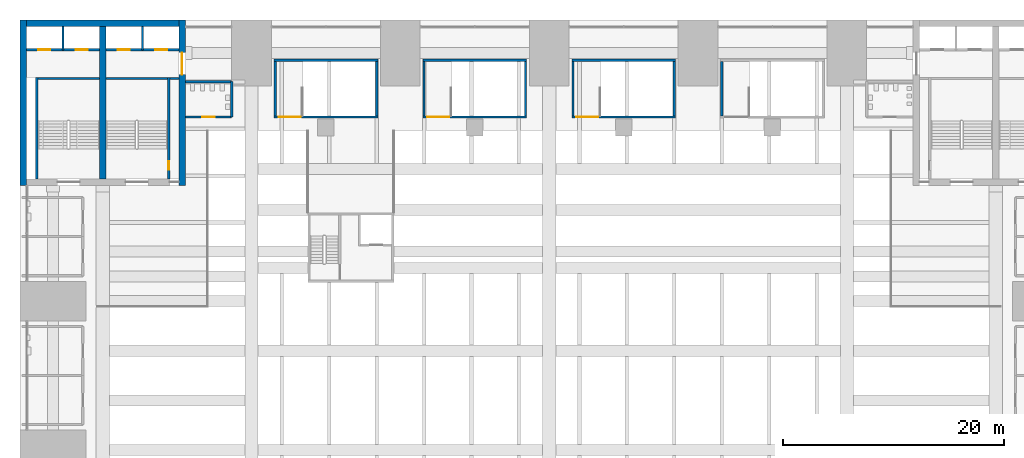
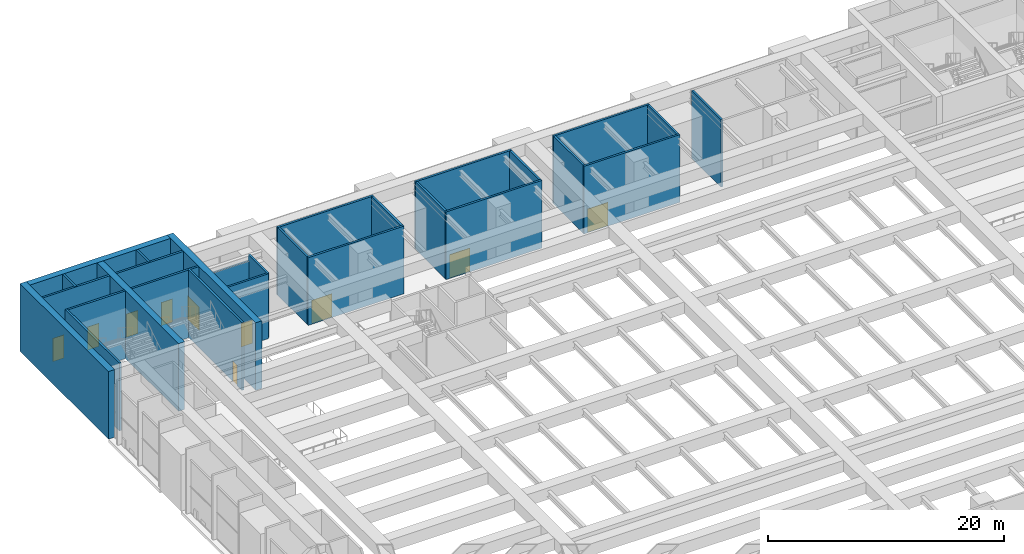
# One storey, part 30 of 45: 29 walls, 10 doors, 10 openings.
"""IFC4 building model written with IfcOpenShell, lengths in metres."""

from ifc_helpers import new_model, si_unit, direction, frame, frame_2d, origin, place, context, subcontext, project, spatial, rectangle, extrude, material, layer, layer_set, type_object, element, fill, save


model = new_model("IFC4")

# Units and contexts
model_context = context("Model", 3, precision=1e-05, world=origin(), true_north=direction((0.0, 1.0)))
body_context = subcontext(model_context, "Body", "Model", "MODEL_VIEW")
ifc_project = project(units=[si_unit("LENGTHUNIT", "METRE"), si_unit("AREAUNIT", "SQUARE_METRE"), si_unit("VOLUMEUNIT", "CUBIC_METRE"), si_unit("PLANEANGLEUNIT", "RADIAN"), si_unit("MASSUNIT", "GRAM", prefix="KILO")], contexts=[model_context])

# Site, building, storey
site_placement = place(None, origin())
site = spatial("IfcSite", under=ifc_project, at=site_placement, CompositionType="ELEMENT")
building_placement = place(site_placement, origin())
building = spatial("IfcBuilding", under=site, at=building_placement, Name="Corbelhall Arena Tower", CompositionType="ELEMENT")
storey_placement = place(building_placement, frame((0.0, 0.0, 37.0)))
storey = spatial("IfcBuildingStorey", under=building, at=storey_placement, Name="L05", CompositionType="ELEMENT", Elevation=37.0)

# Wall, opening, door
ifc_material_1 = material(Name="Gypsum board on steel studs", Category="steel")
ifc_layer_1 = layer(ifc_material_1, 0.199951171875)
ifc_layer_set_1 = layer_set([ifc_layer_1], Name="AR-ROOM-WALL")
wall_type_1 = type_object("IfcWallType", Name="AR-ROOM-WALL", PredefinedType="PARTITIONING", material=ifc_layer_set_1)
wall_1_placement = place(storey_placement, frame((-33.0, 30.199951171875, 0.0), z_axis=(0.0, 0.0, 1.0), x_axis=(1.0, 0.0, 0.0)))
wall_1 = element("IfcWall", 1, at=wall_1_placement, inside=storey, type_object=wall_type_1, Name="Women's WC 2 wall", PredefinedType="PARTITIONING", context=body_context, shape_type="SweptSolid", body=[
    extrude(rectangle(XDim=4.199951171875, YDim=0.199951171875, at=frame_2d((2.10009765625, 0.0))), origin(), (0.0, 0.0, 1.0), 6.699951171875),
])
opening_1_placement = place(wall_1_placement, frame((1.550048828125, 0.0, 0.0)))
opening_1 = element("IfcOpeningElement", 2, at=opening_1_placement, cuts=wall_1, Name="Opening DA0456", PredefinedType="OPENING", context=body_context, shape_type="SweptSolid", body=[
    extrude(rectangle(XDim=1.10009765625, YDim=2.39990234375, at=frame_2d((0.550048828125, 1.199951171875))), frame((0.0, 0.10009765625, 0.0), z_axis=(0.0, -1.0, 0.0), x_axis=(1.0, 0.0, 0.0)), (0.0, 0.0, 1.0), 0.199951171875),
])
ifc_material_2 = material(Name="Timber", Category="wood")
door_type_1 = type_object("IfcDoorType", Name="AR-ROOM-DOOR", OperationType="DOUBLE_DOOR_SINGLE_SWING", PredefinedType="DOOR", material=ifc_material_2)
door_1_placement = place(opening_1_placement, origin())
door_1 = element("IfcDoor", 3, at=door_1_placement, inside=storey, type_object=door_type_1, Name="Women's WC 2 door", OperationType="DOUBLE_DOOR_SINGLE_SWING", OverallHeight=2.39990234375, OverallWidth=1.10009765625, PredefinedType="DOOR", context=body_context, shape_type="SweptSolid", body=[
    extrude(rectangle(XDim=1.10009765625, YDim=2.39990234375, at=frame_2d((0.550048828125, 1.199951171875))), frame((0.0, 0.02490234375, 0.0), z_axis=(0.0, -1.0, 0.0), x_axis=(1.0, 0.0, 0.0)), (0.0, 0.0, 1.0), 0.050048828125),
])
fill(opening_1, door_1)

# Walls
wall_2_placement = place(storey_placement, frame((-28.800048828125, 30.199951171875, 0.0), z_axis=(0.0, 0.0, 1.0), x_axis=(0.0, 1.0, 0.0)))
element("IfcWall", 4, at=wall_2_placement, inside=storey, type_object=wall_type_1, Name="Women's WC 2 side wall", PredefinedType="PARTITIONING", context=body_context, shape_type="SweptSolid", body=[
    extrude(rectangle(XDim=3.199951171875, YDim=0.199951171875, at=frame_2d((1.60009765625, 0.0))), origin(), (0.0, 0.0, 1.0), 6.699951171875),
])
wall_3_placement = place(storey_placement, frame((-34.409912109375, 33.699951171875, 0.0), z_axis=(0.0, 0.0, 1.0), x_axis=(1.0, 0.0, 0.0)))
element("IfcWall", 5, at=wall_3_placement, inside=storey, type_object=wall_type_1, Name="Electrical plant room 02 wall", PredefinedType="PARTITIONING", context=body_context, shape_type="SweptSolid", body=[
    extrude(rectangle(XDim=0.809814453125, YDim=0.199951171875, at=frame_2d((0.40478515625, 0.0))), origin(), (0.0, 0.0, 1.0), 7.0),
])
ifc_layer_2 = layer(ifc_material_1, 0.199951171875)
ifc_layer_set_2 = layer_set([ifc_layer_2], Name="AR-ROOM-WALL under beam 611 mm")
wall_type_2 = type_object("IfcWallType", Name="AR-ROOM-WALL under beam 611 mm", PredefinedType="PARTITIONING", material=ifc_layer_set_2)
wall_4_placement = place(storey_placement, frame((-33.0, 33.39990234375, 0.0), z_axis=(0.0, 0.0, 1.0), x_axis=(1.0, 0.0, 0.0)))
element("IfcWall", 6, at=wall_4_placement, inside=storey, type_object=wall_type_2, Name="Women's WC 2 far wall", PredefinedType="PARTITIONING", context=body_context, shape_type="SweptSolid", body=[
    extrude(rectangle(XDim=4.199951171875, YDim=0.199951171875, at=frame_2d((2.10009765625, 0.0))), origin(), (0.0, 0.0, 1.0), 6.089111328125),
])

# Wall, openings, doors
ifc_material_3 = material(Name="Reinforced concrete C40/50", Category="concrete")
ifc_layer_3 = layer(ifc_material_3, 0.199951171875)
ifc_layer_set_3 = layer_set([ifc_layer_3], Name="AR-SHAFT-WALL")
wall_type_3 = type_object("IfcWallType", Name="AR-SHAFT-WALL", PredefinedType="SHEAR", material=ifc_layer_set_3)
wall_5_placement = place(storey_placement, frame((-47.39990234375, 36.300048828125, 0.0), z_axis=(0.0, 0.0, 1.0), x_axis=(1.0, 0.0, 0.0)))
wall_5 = element("IfcWall", 7, at=wall_5_placement, inside=storey, type_object=wall_type_3, Name="Lift lobby wall NW", PredefinedType="SHEAR", context=body_context, shape_type="SweptSolid", body=[
    extrude(rectangle(XDim=6.599853515625, YDim=0.199951171875, at=frame_2d((3.2998046875, 0.0))), origin(), (0.0, 0.0, 1.0), 7.0),
])
opening_2_placement = place(wall_5_placement, frame((1.050048828125, 0.0, 0.0)))
opening_2 = element("IfcOpeningElement", 8, at=opening_2_placement, cuts=wall_5, Name="Opening LD0186", PredefinedType="OPENING", context=body_context, shape_type="SweptSolid", body=[
    extrude(rectangle(XDim=1.10009765625, YDim=2.39990234375, at=frame_2d((0.550048828125, 1.199951171875))), frame((0.0, 0.10009765625, 0.0), z_axis=(0.0, -1.0, 0.0), x_axis=(1.0, 0.0, 0.0)), (0.0, 0.0, 1.0), 0.199951171875),
])
opening_3_placement = place(wall_5_placement, frame((4.449951171875, 0.0, 0.0)))
opening_3 = element("IfcOpeningElement", 9, at=opening_3_placement, cuts=wall_5, Name="Opening LD0187", PredefinedType="OPENING", context=body_context, shape_type="SweptSolid", body=[
    extrude(rectangle(XDim=1.10009765625, YDim=2.39990234375, at=frame_2d((0.550048828125, 1.199951171875))), frame((0.0, 0.10009765625, 0.0), z_axis=(0.0, -1.0, 0.0), x_axis=(1.0, 0.0, 0.0)), (0.0, 0.0, 1.0), 0.199951171875),
])
ifc_material_4 = material(Name="Stainless steel A4", Category="steel")
door_type_2 = type_object("IfcDoorType", Name="AR-LANDING-DOOR", OperationType="DOUBLE_DOOR_SLIDING", PredefinedType="DOOR", material=ifc_material_4)
door_2_placement = place(opening_2_placement, origin())
door_2 = element("IfcDoor", 10, at=door_2_placement, inside=storey, type_object=door_type_2, Name="Landing door NW LF3 L05", OperationType="DOUBLE_DOOR_SLIDING", OverallHeight=2.39990234375, OverallWidth=1.10009765625, PredefinedType="DOOR", context=body_context, shape_type="SweptSolid", body=[
    extrude(rectangle(XDim=1.10009765625, YDim=2.39990234375, at=frame_2d((0.550048828125, 1.199951171875))), frame((0.0, 0.02490234375, 0.0), z_axis=(0.0, -1.0, 0.0), x_axis=(1.0, 0.0, 0.0)), (0.0, 0.0, 1.0), 0.050048828125),
])
fill(opening_2, door_2)
door_3_placement = place(opening_3_placement, origin())
door_3 = element("IfcDoor", 11, at=door_3_placement, inside=storey, type_object=door_type_2, Name="Landing door NW LF4 L05", OperationType="DOUBLE_DOOR_SLIDING", OverallHeight=2.39990234375, OverallWidth=1.10009765625, PredefinedType="DOOR", context=body_context, shape_type="SweptSolid", body=[
    extrude(rectangle(XDim=1.10009765625, YDim=2.39990234375, at=frame_2d((0.550048828125, 1.199951171875))), frame((0.0, 0.02490234375, 0.0), z_axis=(0.0, -1.0, 0.0), x_axis=(1.0, 0.0, 0.0)), (0.0, 0.0, 1.0), 0.050048828125),
])
fill(opening_3, door_3)

wall_6_placement = place(storey_placement, frame((-40.199951171875, 36.300048828125, 0.0), z_axis=(0.0, 0.0, 1.0), x_axis=(1.0, 0.0, 0.0)))
wall_6 = element("IfcWall", 12, at=wall_6_placement, inside=storey, type_object=wall_type_3, Name="Lift lobby wall NW", PredefinedType="SHEAR", context=body_context, shape_type="SweptSolid", body=[
    extrude(rectangle(XDim=6.599853515625, YDim=0.199951171875, at=frame_2d((3.2998046875, 0.0))), origin(), (0.0, 0.0, 1.0), 7.0),
])
opening_4_placement = place(wall_6_placement, frame((1.050048828125, 0.0, 0.0)))
opening_4 = element("IfcOpeningElement", 13, at=opening_4_placement, cuts=wall_6, Name="Opening LD0188", PredefinedType="OPENING", context=body_context, shape_type="SweptSolid", body=[
    extrude(rectangle(XDim=1.10009765625, YDim=2.39990234375, at=frame_2d((0.550048828125, 1.199951171875))), frame((0.0, 0.10009765625, 0.0), z_axis=(0.0, -1.0, 0.0), x_axis=(1.0, 0.0, 0.0)), (0.0, 0.0, 1.0), 0.199951171875),
])
opening_5_placement = place(wall_6_placement, frame((4.449951171875, 0.0, 0.0)))
opening_5 = element("IfcOpeningElement", 14, at=opening_5_placement, cuts=wall_6, Name="Opening LD0189", PredefinedType="OPENING", context=body_context, shape_type="SweptSolid", body=[
    extrude(rectangle(XDim=1.10009765625, YDim=2.39990234375, at=frame_2d((0.550048828125, 1.199951171875))), frame((0.0, 0.10009765625, 0.0), z_axis=(0.0, -1.0, 0.0), x_axis=(1.0, 0.0, 0.0)), (0.0, 0.0, 1.0), 0.199951171875),
])
door_4_placement = place(opening_4_placement, origin())
door_4 = element("IfcDoor", 15, at=door_4_placement, inside=storey, type_object=door_type_2, Name="Landing door NW LF1 L05", OperationType="DOUBLE_DOOR_SLIDING", OverallHeight=2.39990234375, OverallWidth=1.10009765625, PredefinedType="DOOR", context=body_context, shape_type="SweptSolid", body=[
    extrude(rectangle(XDim=1.10009765625, YDim=2.39990234375, at=frame_2d((0.550048828125, 1.199951171875))), frame((0.0, 0.02490234375, 0.0), z_axis=(0.0, -1.0, 0.0), x_axis=(1.0, 0.0, 0.0)), (0.0, 0.0, 1.0), 0.050048828125),
])
fill(opening_4, door_4)
door_5_placement = place(opening_5_placement, origin())
door_5 = element("IfcDoor", 16, at=door_5_placement, inside=storey, type_object=door_type_2, Name="Landing door NW LF2 L05", OperationType="DOUBLE_DOOR_SLIDING", OverallHeight=2.39990234375, OverallWidth=1.10009765625, PredefinedType="DOOR", context=body_context, shape_type="SweptSolid", body=[
    extrude(rectangle(XDim=1.10009765625, YDim=2.39990234375, at=frame_2d((0.550048828125, 1.199951171875))), frame((0.0, 0.02490234375, 0.0), z_axis=(0.0, -1.0, 0.0), x_axis=(1.0, 0.0, 0.0)), (0.0, 0.0, 1.0), 0.050048828125),
])
fill(opening_5, door_5)

# Walls
for number, where, z_axis, x_axis, name in (
    (17, (-36.89990234375, 36.300048828125, 0.0), (0.0, 0.0, 1.0), (0.0, 1.0, 0.0), "Shaft wall NW"),
    (18, (-44.10009765625, 36.300048828125, 0.0), (0.0, 0.0, 1.0), (0.0, 1.0, 0.0), "Shaft wall NW"),
):
    element("IfcWall", number, at=place(storey_placement, frame(where, z_axis=z_axis, x_axis=x_axis)), inside=storey, type_object=wall_type_3, Name=name, PredefinedType="SHEAR", context=body_context, shape_type="SweptSolid", body=[
        extrude(rectangle(XDim=2.099853515625, YDim=0.199951171875, at=frame_2d((1.0498046875, 0.0))), origin(), (0.0, 0.0, 1.0), 7.0),
    ])

# Wall, opening, door
ifc_layer_4 = layer(ifc_material_3, 0.199951171875)
ifc_layer_set_4 = layer_set([ifc_layer_4], Name="AR-STAIR-WALL")
wall_type_4 = type_object("IfcWallType", Name="AR-STAIR-WALL", PredefinedType="SOLIDWALL", material=ifc_layer_set_4)
wall_7_placement = place(storey_placement, frame((-24.949951171875, 30.199951171875, 0.0), z_axis=(0.0, 0.0, 1.0), x_axis=(1.0, 0.0, 0.0)))
wall_7 = element("IfcWall", 19, at=wall_7_placement, inside=storey, type_object=wall_type_4, Name="Stair AS9 wall", PredefinedType="SOLIDWALL", context=body_context, shape_type="SweptSolid", body=[
    extrude(rectangle(XDim=9.39990234375, YDim=0.199951171875, at=frame_2d((4.699951171875, 0.0))), origin(), (0.0, 0.0, 1.0), 7.0),
])
opening_6_placement = place(wall_7_placement, frame((0.39990234375, 0.0, 0.0)))
opening_6 = element("IfcOpeningElement", 20, at=opening_6_placement, cuts=wall_7, Name="Opening DA0006", PredefinedType="OPENING", context=body_context, shape_type="SweptSolid", body=[
    extrude(rectangle(XDim=2.0, YDim=2.39990234375, at=frame_2d((1.0, 1.199951171875))), frame((0.0, 0.10009765625, 0.0), z_axis=(0.0, -1.0, 0.0), x_axis=(1.0, 0.0, 0.0)), (0.0, 0.0, 1.0), 0.199951171875),
])
ifc_material_5 = material(Name="Steel and glass", Category="steel")
door_type_3 = type_object("IfcDoorType", Name="AR-STAIR-DOOR", OperationType="DOUBLE_DOOR_SINGLE_SWING", PredefinedType="DOOR", material=ifc_material_5)
door_6_placement = place(opening_6_placement, origin())
door_6 = element("IfcDoor", 21, at=door_6_placement, inside=storey, type_object=door_type_3, Name="Stair AS9 door", OperationType="DOUBLE_DOOR_SINGLE_SWING", OverallHeight=2.39990234375, OverallWidth=2.0, PredefinedType="DOOR", context=body_context, shape_type="SweptSolid", body=[
    extrude(rectangle(XDim=2.0, YDim=2.39990234375, at=frame_2d((1.0, 1.199951171875))), frame((0.0, 0.02490234375, 0.0), z_axis=(0.0, -1.0, 0.0), x_axis=(1.0, 0.0, 0.0)), (0.0, 0.0, 1.0), 0.050048828125),
])
fill(opening_6, door_6)

# Walls
wall_8_placement = place(storey_placement, frame((-24.949951171875, 35.35009765625, 0.0), z_axis=(0.0, 0.0, 1.0), x_axis=(1.0, 0.0, 0.0)))
element("IfcWall", 22, at=wall_8_placement, inside=storey, type_object=wall_type_4, Name="Stair AS9 wall", PredefinedType="SOLIDWALL", context=body_context, shape_type="SweptSolid", body=[
    extrude(rectangle(XDim=9.39990234375, YDim=0.199951171875, at=frame_2d((4.699951171875, 0.0))), origin(), (0.0, 0.0, 1.0), 7.0),
])
for number, where, z_axis, x_axis, name in (
    (23, (-24.85009765625, 30.300048828125, 0.0), (0.0, 0.0, 1.0), (0.0, 1.0, 0.0), "Stair AS9 wall"),
    (24, (-15.64990234375, 30.300048828125, 0.0), (0.0, 0.0, 1.0), (0.0, 1.0, 0.0), "Stair AS9 wall"),
):
    element("IfcWall", number, at=place(storey_placement, frame(where, z_axis=z_axis, x_axis=x_axis)), inside=storey, type_object=wall_type_4, Name=name, PredefinedType="SOLIDWALL", context=body_context, shape_type="SweptSolid", body=[
        extrude(rectangle(XDim=4.949951171875, YDim=0.199951171875, at=frame_2d((2.47509765625, 0.0))), origin(), (0.0, 0.0, 1.0), 7.0),
    ])

# Wall, opening, door
wall_9_placement = place(storey_placement, frame((-11.449951171875, 30.199951171875, 0.0), z_axis=(0.0, 0.0, 1.0), x_axis=(1.0, 0.0, 0.0)))
wall_9 = element("IfcWall", 25, at=wall_9_placement, inside=storey, type_object=wall_type_4, Name="Stair AS10 wall", PredefinedType="SOLIDWALL", context=body_context, shape_type="SweptSolid", body=[
    extrude(rectangle(XDim=9.39990234375, YDim=0.199951171875, at=frame_2d((4.699951171875, 0.0))), origin(), (0.0, 0.0, 1.0), 7.0),
])
opening_7_placement = place(wall_9_placement, frame((0.39990234375, 0.0, 0.0)))
opening_7 = element("IfcOpeningElement", 26, at=opening_7_placement, cuts=wall_9, Name="Opening DA0012", PredefinedType="OPENING", context=body_context, shape_type="SweptSolid", body=[
    extrude(rectangle(XDim=2.0, YDim=2.39990234375, at=frame_2d((1.0, 1.199951171875))), frame((0.0, 0.10009765625, 0.0), z_axis=(0.0, -1.0, 0.0), x_axis=(1.0, 0.0, 0.0)), (0.0, 0.0, 1.0), 0.199951171875),
])
door_7_placement = place(opening_7_placement, origin())
door_7 = element("IfcDoor", 27, at=door_7_placement, inside=storey, type_object=door_type_3, Name="Stair AS10 door", OperationType="DOUBLE_DOOR_SINGLE_SWING", OverallHeight=2.39990234375, OverallWidth=2.0, PredefinedType="DOOR", context=body_context, shape_type="SweptSolid", body=[
    extrude(rectangle(XDim=2.0, YDim=2.39990234375, at=frame_2d((1.0, 1.199951171875))), frame((0.0, 0.02490234375, 0.0), z_axis=(0.0, -1.0, 0.0), x_axis=(1.0, 0.0, 0.0)), (0.0, 0.0, 1.0), 0.050048828125),
])
fill(opening_7, door_7)

# Walls
wall_10_placement = place(storey_placement, frame((-11.449951171875, 35.35009765625, 0.0), z_axis=(0.0, 0.0, 1.0), x_axis=(1.0, 0.0, 0.0)))
element("IfcWall", 28, at=wall_10_placement, inside=storey, type_object=wall_type_4, Name="Stair AS10 wall", PredefinedType="SOLIDWALL", context=body_context, shape_type="SweptSolid", body=[
    extrude(rectangle(XDim=9.39990234375, YDim=0.199951171875, at=frame_2d((4.699951171875, 0.0))), origin(), (0.0, 0.0, 1.0), 7.0),
])
for number, where, z_axis, x_axis, name in (
    (29, (-11.35009765625, 30.300048828125, 0.0), (0.0, 0.0, 1.0), (0.0, 1.0, 0.0), "Stair AS10 wall"),
    (30, (-2.14990234375, 30.300048828125, 0.0), (0.0, 0.0, 1.0), (0.0, 1.0, 0.0), "Stair AS10 wall"),
):
    element("IfcWall", number, at=place(storey_placement, frame(where, z_axis=z_axis, x_axis=x_axis)), inside=storey, type_object=wall_type_4, Name=name, PredefinedType="SOLIDWALL", context=body_context, shape_type="SweptSolid", body=[
        extrude(rectangle(XDim=4.949951171875, YDim=0.199951171875, at=frame_2d((2.47509765625, 0.0))), origin(), (0.0, 0.0, 1.0), 7.0),
    ])

# Wall, opening, door
wall_11_placement = place(storey_placement, frame((2.050048828125, 30.199951171875, 0.0), z_axis=(0.0, 0.0, 1.0), x_axis=(1.0, 0.0, 0.0)))
wall_11 = element("IfcWall", 31, at=wall_11_placement, inside=storey, type_object=wall_type_4, Name="Stair AS11 wall", PredefinedType="SOLIDWALL", context=body_context, shape_type="SweptSolid", body=[
    extrude(rectangle(XDim=9.39990234375, YDim=0.199951171875, at=frame_2d((4.699951171875, 0.0))), origin(), (0.0, 0.0, 1.0), 7.0),
])
opening_8_placement = place(wall_11_placement, frame((0.39990234375, 0.0, 0.0)))
opening_8 = element("IfcOpeningElement", 32, at=opening_8_placement, cuts=wall_11, Name="Opening DA0018", PredefinedType="OPENING", context=body_context, shape_type="SweptSolid", body=[
    extrude(rectangle(XDim=2.0, YDim=2.39990234375, at=frame_2d((1.0, 1.199951171875))), frame((0.0, 0.10009765625, 0.0), z_axis=(0.0, -1.0, 0.0), x_axis=(1.0, 0.0, 0.0)), (0.0, 0.0, 1.0), 0.199951171875),
])
door_8_placement = place(opening_8_placement, origin())
door_8 = element("IfcDoor", 33, at=door_8_placement, inside=storey, type_object=door_type_3, Name="Stair AS11 door", OperationType="DOUBLE_DOOR_SINGLE_SWING", OverallHeight=2.39990234375, OverallWidth=2.0, PredefinedType="DOOR", context=body_context, shape_type="SweptSolid", body=[
    extrude(rectangle(XDim=2.0, YDim=2.39990234375, at=frame_2d((1.0, 1.199951171875))), frame((0.0, 0.02490234375, 0.0), z_axis=(0.0, -1.0, 0.0), x_axis=(1.0, 0.0, 0.0)), (0.0, 0.0, 1.0), 0.050048828125),
])
fill(opening_8, door_8)

# Walls
wall_12_placement = place(storey_placement, frame((2.050048828125, 35.35009765625, 0.0), z_axis=(0.0, 0.0, 1.0), x_axis=(1.0, 0.0, 0.0)))
element("IfcWall", 34, at=wall_12_placement, inside=storey, type_object=wall_type_4, Name="Stair AS11 wall", PredefinedType="SOLIDWALL", context=body_context, shape_type="SweptSolid", body=[
    extrude(rectangle(XDim=9.39990234375, YDim=0.199951171875, at=frame_2d((4.699951171875, 0.0))), origin(), (0.0, 0.0, 1.0), 7.0),
])
for number, where, z_axis, x_axis, name in (
    (35, (2.14990234375, 30.300048828125, 0.0), (0.0, 0.0, 1.0), (0.0, 1.0, 0.0), "Stair AS11 wall"),
    (36, (11.35009765625, 30.300048828125, 0.0), (0.0, 0.0, 1.0), (0.0, 1.0, 0.0), "Stair AS11 wall"),
    (37, (15.64990234375, 30.300048828125, 0.0), (0.0, 0.0, 1.0), (0.0, 1.0, 0.0), "Stair AS12 wall"),
):
    element("IfcWall", number, at=place(storey_placement, frame(where, z_axis=z_axis, x_axis=x_axis)), inside=storey, type_object=wall_type_4, Name=name, PredefinedType="SOLIDWALL", context=body_context, shape_type="SweptSolid", body=[
        extrude(rectangle(XDim=4.949951171875, YDim=0.199951171875, at=frame_2d((2.47509765625, 0.0))), origin(), (0.0, 0.0, 1.0), 7.0),
    ])

# Wall, opening, door
wall_13_placement = place(storey_placement, frame((-34.510009765625, 24.60009765625, 0.0), z_axis=(0.0, 0.0, 1.0), x_axis=(0.0, 1.0, 0.0)))
wall_13 = element("IfcWall", 38, at=wall_13_placement, inside=storey, type_object=wall_type_4, Name="Stair AS3 wall", PredefinedType="SOLIDWALL", context=body_context, shape_type="SweptSolid", body=[
    extrude(rectangle(XDim=9.199951171875, YDim=0.199951171875, at=frame_2d((4.60009765625, 0.0))), origin(), (0.0, 0.0, 1.0), 7.0),
])
opening_9_placement = place(wall_13_placement, frame((0.800048828125, 0.0, 0.0)))
opening_9 = element("IfcOpeningElement", 39, at=opening_9_placement, cuts=wall_13, Name="Opening DA0478", PredefinedType="OPENING", context=body_context, shape_type="SweptSolid", body=[
    extrude(rectangle(XDim=0.800048828125, YDim=2.10009765625, at=frame_2d((0.39990234375, 1.050048828125))), frame((0.0, 0.10009765625, 0.0), z_axis=(0.0, -1.0, 0.0), x_axis=(1.0, 0.0, 0.0)), (0.0, 0.0, 1.0), 0.199951171875),
])
ifc_material_6 = material(Name="Steel", Category="steel")
door_type_4 = type_object("IfcDoorType", Name="AR-PLANT-DOOR", OperationType="SINGLE_SWING_LEFT", PredefinedType="DOOR", material=ifc_material_6)
door_9_placement = place(opening_9_placement, origin())
door_9 = element("IfcDoor", 40, at=door_9_placement, inside=storey, type_object=door_type_4, Name="Electrical plant room 02 stair door", OperationType="SINGLE_SWING_LEFT", OverallHeight=2.10009765625, OverallWidth=0.800048828125, PredefinedType="DOOR", context=body_context, shape_type="SweptSolid", body=[
    extrude(rectangle(XDim=0.800048828125, YDim=2.10009765625, at=frame_2d((0.39990234375, 1.050048828125))), frame((0.0, 0.02490234375, 0.0), z_axis=(0.0, -1.0, 0.0), x_axis=(1.0, 0.0, 0.0)), (0.0, 0.0, 1.0), 0.050048828125),
])
fill(opening_9, door_9)

# Walls
wall_14_placement = place(storey_placement, frame((-40.199951171875, 33.699951171875, 0.0), z_axis=(0.0, 0.0, 1.0), x_axis=(1.0, 0.0, 0.0)))
element("IfcWall", 41, at=wall_14_placement, inside=storey, type_object=wall_type_4, Name="Stair AS3 wall", PredefinedType="SOLIDWALL", context=body_context, shape_type="SweptSolid", body=[
    extrude(rectangle(XDim=5.58984375, YDim=0.199951171875, at=frame_2d((2.794921875, 0.0))), origin(), (0.0, 0.0, 1.0), 7.0),
])
wall_15_placement = place(storey_placement, frame((-46.489990234375, 24.60009765625, 0.0), z_axis=(0.0, 0.0, 1.0), x_axis=(0.0, 1.0, 0.0)))
element("IfcWall", 42, at=wall_15_placement, inside=storey, type_object=wall_type_4, Name="Stair AS4 wall", PredefinedType="SOLIDWALL", context=body_context, shape_type="SweptSolid", body=[
    extrude(rectangle(XDim=9.199951171875, YDim=0.199951171875, at=frame_2d((4.60009765625, 0.0))), origin(), (0.0, 0.0, 1.0), 7.0),
])
wall_16_placement = place(storey_placement, frame((-46.389892578125, 33.699951171875, 0.0), z_axis=(0.0, 0.0, 1.0), x_axis=(1.0, 0.0, 0.0)))
element("IfcWall", 43, at=wall_16_placement, inside=storey, type_object=wall_type_4, Name="Stair AS4 wall", PredefinedType="SOLIDWALL", context=body_context, shape_type="SweptSolid", body=[
    extrude(rectangle(XDim=5.58984375, YDim=0.199951171875, at=frame_2d((2.794921875, 0.0))), origin(), (0.0, 0.0, 1.0), 7.0),
])
ifc_material_7 = material(Name="Concrete C80/95", Category="concrete")
ifc_layer_5 = layer(ifc_material_7, 0.60009765625)
ifc_layer_set_5 = layer_set([ifc_layer_5], Name="PO-CORE-WALL")
wall_type_5 = type_object("IfcWallType", Name="PO-CORE-WALL", PredefinedType="SHEAR", material=ifc_layer_set_5)
wall_17_placement = place(storey_placement, frame((-47.39990234375, 38.699951171875, 0.0), z_axis=(0.0, 0.0, 1.0), x_axis=(1.0, 0.0, 0.0)))
element("IfcWall", 44, at=wall_17_placement, inside=storey, type_object=wall_type_5, Name="CORE NW WALL N L05", PredefinedType="SHEAR", context=body_context, shape_type="SweptSolid", body=[
    extrude(rectangle(XDim=13.7998046875, YDim=0.60009765625, at=frame_2d((6.89990234375, 0.0))), origin(), (0.0, 0.0, 1.0), 7.0),
])
wall_18_placement = place(storey_placement, frame((-47.699951171875, 24.0, 0.0), z_axis=(0.0, 0.0, 1.0), x_axis=(0.0, 1.0, 0.0)))
element("IfcWall", 45, at=wall_18_placement, inside=storey, type_object=wall_type_5, Name="CORE NW WALL W L05", PredefinedType="SHEAR", context=body_context, shape_type="SweptSolid", body=[
    extrude(rectangle(XDim=15.0, YDim=0.60009765625, at=frame_2d((7.5, 0.0))), origin(), (0.0, 0.0, 1.0), 7.0),
])

# Wall, opening, door
wall_19_placement = place(storey_placement, frame((-33.300048828125, 24.0, 0.0), z_axis=(0.0, 0.0, 1.0), x_axis=(0.0, 1.0, 0.0)))
wall_19 = element("IfcWall", 46, at=wall_19_placement, inside=storey, type_object=wall_type_5, Name="CORE NW WALL E L05", PredefinedType="SHEAR", context=body_context, shape_type="SweptSolid", body=[
    extrude(rectangle(XDim=15.0, YDim=0.60009765625, at=frame_2d((7.5, 0.0))), origin(), (0.0, 0.0, 1.0), 7.0),
])
opening_10_placement = place(wall_19_placement, frame((10.050048828125, 0.0, 0.0)))
opening_10 = element("IfcOpeningElement", 47, at=opening_10_placement, cuts=wall_19, Name="Opening DA0190", PredefinedType="OPENING", context=body_context, shape_type="SweptSolid", body=[
    extrude(rectangle(XDim=2.0, YDim=2.39990234375, at=frame_2d((1.0, 1.199951171875))), frame((0.0, 0.300048828125, 0.0), z_axis=(0.0, -1.0, 0.0), x_axis=(1.0, 0.0, 0.0)), (0.0, 0.0, 1.0), 0.60009765625),
])
door_type_5 = type_object("IfcDoorType", Name="AR-CORE-DOOR", OperationType="DOUBLE_DOOR_SINGLE_SWING", PredefinedType="DOOR", material=ifc_material_5)
door_10_placement = place(opening_10_placement, origin())
door_10 = element("IfcDoor", 48, at=door_10_placement, inside=storey, type_object=door_type_5, Name="Core lobby door NW L05", OperationType="DOUBLE_DOOR_SINGLE_SWING", OverallHeight=2.39990234375, OverallWidth=2.0, PredefinedType="DOOR", context=body_context, shape_type="SweptSolid", body=[
    extrude(rectangle(XDim=2.0, YDim=2.39990234375, at=frame_2d((1.0, 1.199951171875))), frame((0.0, 0.02490234375, 0.0), z_axis=(0.0, -1.0, 0.0), x_axis=(1.0, 0.0, 0.0)), (0.0, 0.0, 1.0), 0.050048828125),
])
fill(opening_10, door_10)

# Wall
wall_20_placement = place(storey_placement, frame((-40.5, 24.60009765625, 0.0), z_axis=(0.0, 0.0, 1.0), x_axis=(0.0, 1.0, 0.0)))
element("IfcWall", 49, at=wall_20_placement, inside=storey, type_object=wall_type_5, Name="CORE NW WALL D L05", PredefinedType="SHEAR", context=body_context, shape_type="SweptSolid", body=[
    extrude(rectangle(XDim=13.7998046875, YDim=0.60009765625, at=frame_2d((6.89990234375, 0.0))), origin(), (0.0, 0.0, 1.0), 7.0),
])

save(model, "model.ifc")
